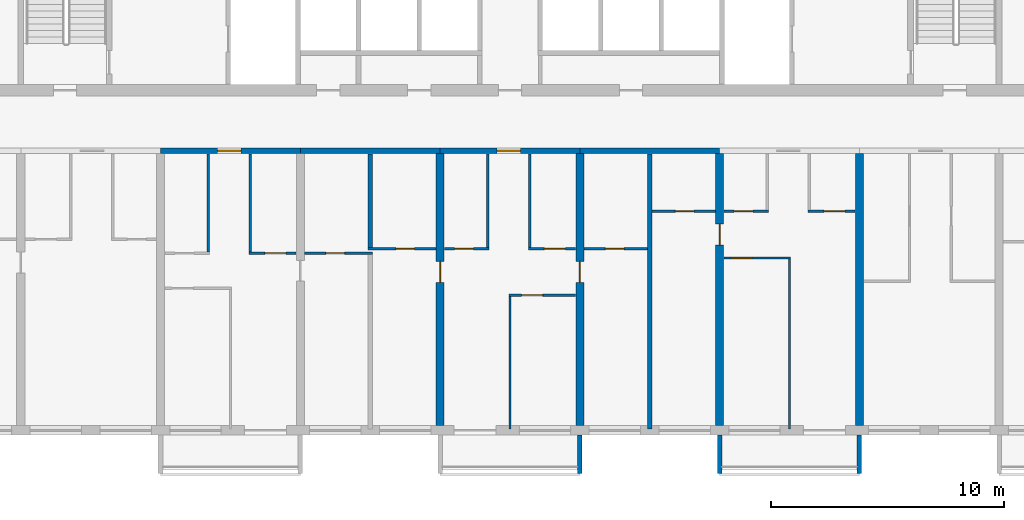
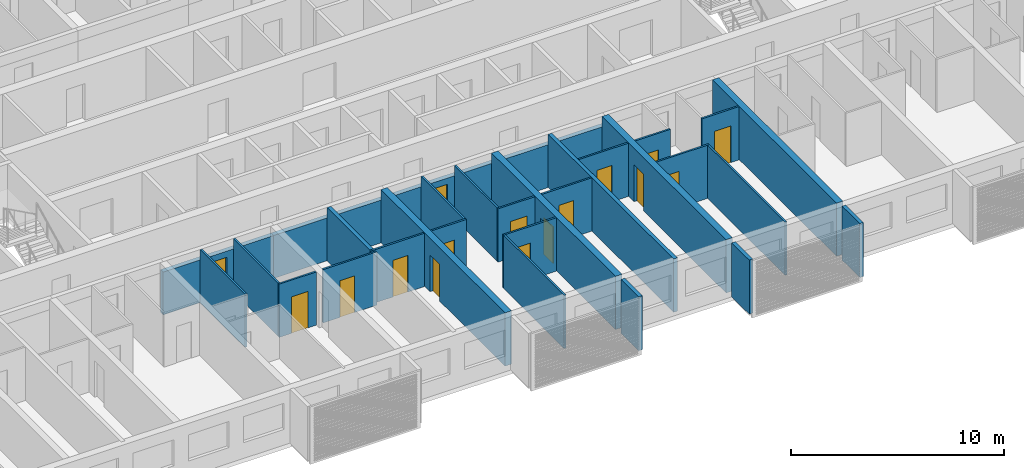
# One storey, part 5 of 30: 30 walls, 16 doors, 16 openings.
"""IFC4 building model written with IfcOpenShell, lengths in metres."""

from ifc_helpers import new_model, si_unit, direction, frame, frame_2d, origin, place, context, subcontext, project, spatial, polyline, rectangle, outline, extrude, source, transform, mapped, material, layer, layer_set, type_object, element, fill, save


model = new_model("IFC4")

# Units and contexts
model_context = context("Model", 3, precision=1e-05, world=origin(), true_north=direction((0.0, 1.0)))
body_context = subcontext(model_context, "Body", "Model", "MODEL_VIEW")
ifc_project = project(units=[si_unit("LENGTHUNIT", "METRE"), si_unit("AREAUNIT", "SQUARE_METRE"), si_unit("VOLUMEUNIT", "CUBIC_METRE"), si_unit("PLANEANGLEUNIT", "RADIAN"), si_unit("MASSUNIT", "GRAM", prefix="KILO")], contexts=[model_context])

# Site, building, storey
site_placement = place(None, origin())
site = spatial("IfcSite", under=ifc_project, at=site_placement, CompositionType="ELEMENT")
building_placement = place(site_placement, origin())
building = spatial("IfcBuilding", under=site, at=building_placement, Name="Poui Terraces", CompositionType="ELEMENT")
storey_placement = place(building_placement, frame((0.0, 0.0, 99.300048828125)))
storey = spatial("IfcBuildingStorey", under=building, at=storey_placement, Name="L27", CompositionType="ELEMENT", Elevation=99.300048828125)

# Wall, opening, door
ifc_material_1 = material(Name="Concrete 65 MPa", Category="concrete")
ifc_layer_1 = layer(ifc_material_1, 0.25)
ifc_layer_set_1 = layer_set([ifc_layer_1], Name="Concrete 65 MPa")
wall_type_1 = type_object("IfcWallType", Name="CORRIDOR WALL 250 65MPa", PredefinedType="SHEAR", material=ifc_layer_set_1)
wall_1_placement = place(storey_placement, frame((36.0, 12.0, 0.0), z_axis=(0.0, 0.0, 1.0), x_axis=(1.0, 0.0, 0.0)))
wall_1 = element("IfcWall", 1, at=wall_1_placement, inside=storey, type_object=wall_type_1, Name="CORRIDOR WALL LINE B BAY 6", PredefinedType="SHEAR", context=body_context, shape_type="SweptSolid", body=[
    extrude(rectangle(XDim=6.0, YDim=0.25, at=frame_2d((3.0, 0.0))), origin(), (0.0, 0.0, 1.0), 2.4599609375),
])
opening_1_placement = place(wall_1_placement, frame((2.449951171875, 0.0, 0.0)))
opening_1 = element("IfcOpeningElement", 2, at=opening_1_placement, cuts=wall_1, Name="Opening FD30S", PredefinedType="OPENING", context=body_context, shape_type="SweptSolid", body=[
    extrude(rectangle(XDim=1.0, YDim=2.10009765625, at=frame_2d((0.5, 1.050048828125))), frame((0.0, 0.135009765625, 0.0), z_axis=(0.0, -1.0, 0.0), x_axis=(1.0, 0.0, 0.0)), (0.0, 0.0, 1.0), 0.27001953125),
])
ifc_material_2 = material(Name="Steel fire door", Category="steel")
door_type_1 = type_object("IfcDoorType", Name="FLAT ENTRANCE DOOR 1000 X 2100", OperationType="NOTDEFINED", PredefinedType="DOOR", material=ifc_material_2)
door_1_placement = place(opening_1_placement, frame((1.0, 0.0, 0.0), z_axis=(0.0, 0.0, 1.0), x_axis=(-1.0, 0.0, 0.0)))
door_1 = element("IfcDoor", 3, at=door_1_placement, inside=storey, type_object=door_type_1, Name="FLAT ENTRANCE DOOR 101", OperationType="SINGLE_SWING_RIGHT", OverallHeight=2.10009765625, OverallWidth=1.0, PredefinedType="DOOR", context=body_context, shape_type="SweptSolid", body=[
    extrude(rectangle(XDim=1.0, YDim=2.10009765625, at=frame_2d((0.5, 1.050048828125))), frame((0.0, 0.02490234375, 0.0), z_axis=(0.0, -1.0, 0.0), x_axis=(1.0, 0.0, 0.0)), (0.0, 0.0, 1.0), 0.050048828125),
])
fill(opening_1, door_1)

# Wall
wall_2_placement = place(storey_placement, frame((42.0, 12.0, 0.0), z_axis=(0.0, 0.0, 1.0), x_axis=(1.0, 0.0, 0.0)))
element("IfcWall", 4, at=wall_2_placement, inside=storey, type_object=wall_type_1, Name="CORRIDOR WALL LINE B BAY 7", PredefinedType="SHEAR", context=body_context, shape_type="SweptSolid", body=[
    extrude(rectangle(XDim=6.0, YDim=0.25, at=frame_2d((3.0, 0.0))), origin(), (0.0, 0.0, 1.0), 2.4599609375),
])

# Wall, opening, door
wall_3_placement = place(storey_placement, frame((48.0, 12.0, 0.0), z_axis=(0.0, 0.0, 1.0), x_axis=(1.0, 0.0, 0.0)))
wall_3 = element("IfcWall", 5, at=wall_3_placement, inside=storey, type_object=wall_type_1, Name="CORRIDOR WALL LINE B BAY 8", PredefinedType="SHEAR", context=body_context, shape_type="SweptSolid", body=[
    extrude(rectangle(XDim=6.0, YDim=0.25, at=frame_2d((3.0, 0.0))), origin(), (0.0, 0.0, 1.0), 2.4599609375),
])
opening_2_placement = place(wall_3_placement, frame((2.449951171875, 0.0, 0.0)))
opening_2 = element("IfcOpeningElement", 6, at=opening_2_placement, cuts=wall_3, Name="Opening FD30S", PredefinedType="OPENING", context=body_context, shape_type="SweptSolid", body=[
    extrude(rectangle(XDim=1.0, YDim=2.10009765625, at=frame_2d((0.5, 1.050048828125))), frame((0.0, 0.135009765625, 0.0), z_axis=(0.0, -1.0, 0.0), x_axis=(1.0, 0.0, 0.0)), (0.0, 0.0, 1.0), 0.27001953125),
])
door_2_placement = place(opening_2_placement, frame((1.0, 0.0, 0.0), z_axis=(0.0, 0.0, 1.0), x_axis=(-1.0, 0.0, 0.0)))
door_2 = element("IfcDoor", 7, at=door_2_placement, inside=storey, type_object=door_type_1, Name="FLAT ENTRANCE DOOR 108", OperationType="SINGLE_SWING_RIGHT", OverallHeight=2.10009765625, OverallWidth=1.0, PredefinedType="DOOR", context=body_context, shape_type="SweptSolid", body=[
    extrude(rectangle(XDim=1.0, YDim=2.10009765625, at=frame_2d((0.5, 1.050048828125))), frame((0.0, 0.02490234375, 0.0), z_axis=(0.0, -1.0, 0.0), x_axis=(1.0, 0.0, 0.0)), (0.0, 0.0, 1.0), 0.050048828125),
])
fill(opening_2, door_2)

# Wall
wall_4_placement = place(storey_placement, frame((54.0, 12.0, 0.0), z_axis=(0.0, 0.0, 1.0), x_axis=(1.0, 0.0, 0.0)))
element("IfcWall", 8, at=wall_4_placement, inside=storey, type_object=wall_type_1, Name="CORRIDOR WALL LINE B BAY 9", PredefinedType="SHEAR", context=body_context, shape_type="SweptSolid", body=[
    extrude(rectangle(XDim=6.0, YDim=0.25, at=frame_2d((3.0, 0.0))), origin(), (0.0, 0.0, 1.0), 2.4599609375),
])

# Wall, opening, door
ifc_layer_2 = layer(ifc_material_1, 0.35009765625)
ifc_layer_set_2 = layer_set([ifc_layer_2], Name="Concrete 65 MPa")
wall_type_2 = type_object("IfcWallType", Name="CROSS WALL 350 65MPa", PredefinedType="SHEAR", material=ifc_layer_set_2)
wall_5_placement = place(storey_placement, frame((48.0, 0.199951171875, 0.0), z_axis=(0.0, 0.0, 1.0), x_axis=(0.0, 1.0, 0.0)))
wall_5 = element("IfcWall", 9, at=wall_5_placement, inside=storey, type_object=wall_type_2, Name="CROSS WALL LINE 9 SOUTH", PredefinedType="SHEAR", context=body_context, shape_type="SweptSolid", body=[
    extrude(rectangle(XDim=11.675048828125, YDim=0.35009765625, at=frame_2d((5.83740234375, 0.0))), origin(), (0.0, 0.0, 1.0), 3.06005859375),
])
opening_3_placement = place(wall_5_placement, frame((6.14990234375, 0.0, 0.0)))
opening_3 = element("IfcOpeningElement", 10, at=opening_3_placement, cuts=wall_5, Name="Opening D90", PredefinedType="OPENING", context=body_context, shape_type="SweptSolid", body=[
    extrude(rectangle(XDim=0.89990234375, YDim=2.10009765625, at=frame_2d((0.449951171875, 1.050048828125))), frame((0.0, 0.18505859375, 0.0), z_axis=(0.0, -1.0, 0.0), x_axis=(1.0, 0.0, 0.0)), (0.0, 0.0, 1.0), 0.3701171875),
])
ifc_material_3 = material(Name="Solid core timber door", Category="wood")
door_type_2 = type_object("IfcDoorType", Name="INTERNAL DOOR 900 X 2100", OperationType="NOTDEFINED", PredefinedType="DOOR", material=ifc_material_3)
door_3_placement = place(opening_3_placement, origin())
door_3 = element("IfcDoor", 11, at=door_3_placement, inside=storey, type_object=door_type_2, Name="INTERNAL DOOR 106", OperationType="SINGLE_SWING_RIGHT", OverallHeight=2.10009765625, OverallWidth=0.89990234375, PredefinedType="DOOR", context=body_context, shape_type="SweptSolid", body=[
    extrude(rectangle(XDim=0.89990234375, YDim=2.10009765625, at=frame_2d((0.449951171875, 1.050048828125))), frame((0.0, 0.02490234375, 0.0), z_axis=(0.0, -1.0, 0.0), x_axis=(1.0, 0.0, 0.0)), (0.0, 0.0, 1.0), 0.050048828125),
])
fill(opening_3, door_3)

wall_6_placement = place(storey_placement, frame((54.0, 0.199951171875, 0.0), z_axis=(0.0, 0.0, 1.0), x_axis=(0.0, 1.0, 0.0)))
wall_6 = element("IfcWall", 12, at=wall_6_placement, inside=storey, type_object=wall_type_2, Name="CROSS WALL LINE 10 SOUTH", PredefinedType="SHEAR", context=body_context, shape_type="SweptSolid", body=[
    extrude(rectangle(XDim=11.675048828125, YDim=0.35009765625, at=frame_2d((5.83740234375, 0.0))), origin(), (0.0, 0.0, 1.0), 3.06005859375),
])
opening_4_placement = place(wall_6_placement, frame((6.14990234375, 0.0, 0.0)))
opening_4 = element("IfcOpeningElement", 13, at=opening_4_placement, cuts=wall_6, Name="Opening D90", PredefinedType="OPENING", context=body_context, shape_type="SweptSolid", body=[
    extrude(rectangle(XDim=0.89990234375, YDim=2.10009765625, at=frame_2d((0.449951171875, 1.050048828125))), frame((0.0, 0.18505859375, 0.0), z_axis=(0.0, -1.0, 0.0), x_axis=(1.0, 0.0, 0.0)), (0.0, 0.0, 1.0), 0.3701171875),
])
door_4_placement = place(opening_4_placement, frame((0.89990234375, 0.0, 0.0), z_axis=(0.0, 0.0, 1.0), x_axis=(-1.0, 0.0, 0.0)))
door_4 = element("IfcDoor", 14, at=door_4_placement, inside=storey, type_object=door_type_2, Name="INTERNAL DOOR 111", OperationType="SINGLE_SWING_LEFT", OverallHeight=2.10009765625, OverallWidth=0.89990234375, PredefinedType="DOOR", context=body_context, shape_type="SweptSolid", body=[
    extrude(rectangle(XDim=0.89990234375, YDim=2.10009765625, at=frame_2d((0.449951171875, 1.050048828125))), frame((0.0, 0.02490234375, 0.0), z_axis=(0.0, -1.0, 0.0), x_axis=(1.0, 0.0, 0.0)), (0.0, 0.0, 1.0), 0.050048828125),
])
fill(opening_4, door_4)

wall_7_placement = place(storey_placement, frame((60.0, 0.199951171875, 0.0), z_axis=(0.0, 0.0, 1.0), x_axis=(0.0, 1.0, 0.0)))
wall_7 = element("IfcWall", 15, at=wall_7_placement, inside=storey, type_object=wall_type_2, Name="CROSS WALL LINE 11 SOUTH", PredefinedType="SHEAR", context=body_context, shape_type="SweptSolid", body=[
    extrude(rectangle(XDim=11.675048828125, YDim=0.35009765625, at=frame_2d((5.83740234375, 0.0))), origin(), (0.0, 0.0, 1.0), 3.06005859375),
])
opening_5_placement = place(wall_7_placement, frame((7.75, 0.0, 0.0)))
opening_5 = element("IfcOpeningElement", 16, at=opening_5_placement, cuts=wall_7, Name="Opening D90", PredefinedType="OPENING", context=body_context, shape_type="SweptSolid", body=[
    extrude(rectangle(XDim=0.89990234375, YDim=2.10009765625, at=frame_2d((0.449951171875, 1.050048828125))), frame((0.0, 0.18505859375, 0.0), z_axis=(0.0, -1.0, 0.0), x_axis=(1.0, 0.0, 0.0)), (0.0, 0.0, 1.0), 0.3701171875),
])
door_5_placement = place(opening_5_placement, origin())
door_5 = element("IfcDoor", 17, at=door_5_placement, inside=storey, type_object=door_type_2, Name="INTERNAL DOOR 113", OperationType="SINGLE_SWING_RIGHT", OverallHeight=2.10009765625, OverallWidth=0.89990234375, PredefinedType="DOOR", context=body_context, shape_type="SweptSolid", body=[
    extrude(rectangle(XDim=0.89990234375, YDim=2.10009765625, at=frame_2d((0.449951171875, 1.050048828125))), frame((0.0, 0.02490234375, 0.0), z_axis=(0.0, -1.0, 0.0), x_axis=(1.0, 0.0, 0.0)), (0.0, 0.0, 1.0), 0.050048828125),
])
fill(opening_5, door_5)

# Wall
wall_8_placement = place(storey_placement, frame((66.0, 0.199951171875, 0.0), z_axis=(0.0, 0.0, 1.0), x_axis=(0.0, 1.0, 0.0)))
element("IfcWall", 18, at=wall_8_placement, inside=storey, type_object=wall_type_2, Name="CROSS WALL LINE 12 SOUTH", PredefinedType="SHEAR", context=body_context, shape_type="SweptSolid", body=[
    extrude(rectangle(XDim=11.675048828125, YDim=0.35009765625, at=frame_2d((5.83740234375, 0.0))), origin(), (0.0, 0.0, 1.0), 3.06005859375),
])

# Wall, opening, door
ifc_material_4 = material(Name="Plasterboard partition")
ifc_layer_3 = layer(ifc_material_4, 0.10009765625)
ifc_layer_set_3 = layer_set([ifc_layer_3], Name="Plasterboard partition")
wall_type_3 = type_object("IfcWallType", Name="FLAT PARTITION 100", PredefinedType="PARTITIONING", material=ifc_layer_set_3)
wall_9_placement = place(storey_placement, frame((50.949951171875, 5.800048828125, 0.0), z_axis=(0.0, 0.0, 1.0), x_axis=(1.0, 0.0, 0.0)))
wall_9 = element("IfcWall", 19, at=wall_9_placement, inside=storey, type_object=wall_type_3, Name="FLAT PARTITION 100", PredefinedType="PARTITIONING", context=body_context, shape_type="SweptSolid", body=[
    extrude(rectangle(XDim=2.864990234375, YDim=0.10009765625, at=frame_2d((1.4326171875, 0.0))), origin(), (0.0, 0.0, 1.0), 3.06005859375),
])
opening_6_placement = place(wall_9_placement, frame((0.550048828125, 0.0, 0.0)))
opening_6 = element("IfcOpeningElement", 20, at=opening_6_placement, cuts=wall_9, Name="Opening D90", PredefinedType="OPENING", context=body_context, shape_type="SweptSolid", body=[
    extrude(rectangle(XDim=0.89990234375, YDim=2.10009765625, at=frame_2d((0.449951171875, 1.050048828125))), frame((0.0, 0.06005859375, 0.0), z_axis=(0.0, -1.0, 0.0), x_axis=(1.0, 0.0, 0.0)), (0.0, 0.0, 1.0), 0.1201171875),
])
door_6_placement = place(opening_6_placement, origin())
door_6 = element("IfcDoor", 21, at=door_6_placement, inside=storey, type_object=door_type_2, Name="INTERNAL DOOR 109", OperationType="SINGLE_SWING_RIGHT", OverallHeight=2.10009765625, OverallWidth=0.89990234375, PredefinedType="DOOR", context=body_context, shape_type="SweptSolid", body=[
    extrude(rectangle(XDim=0.89990234375, YDim=2.10009765625, at=frame_2d((0.449951171875, 1.050048828125))), frame((0.0, 0.02490234375, 0.0), z_axis=(0.0, -1.0, 0.0), x_axis=(1.0, 0.0, 0.0)), (0.0, 0.0, 1.0), 0.050048828125),
])
fill(opening_6, door_6)

wall_10_placement = place(storey_placement, frame((60.18505859375, 7.39990234375, 0.0), z_axis=(0.0, 0.0, 1.0), x_axis=(1.0, 0.0, 0.0)))
wall_10 = element("IfcWall", 22, at=wall_10_placement, inside=storey, type_object=wall_type_3, Name="FLAT PARTITION 100", PredefinedType="PARTITIONING", context=body_context, shape_type="SweptSolid", body=[
    extrude(rectangle(XDim=2.864990234375, YDim=0.10009765625, at=frame_2d((1.4326171875, 0.0))), origin(), (0.0, 0.0, 1.0), 3.06005859375),
])
opening_7_placement = place(wall_10_placement, frame((0.31494140625, 0.0, 0.0)))
opening_7 = element("IfcOpeningElement", 23, at=opening_7_placement, cuts=wall_10, Name="Opening D90", PredefinedType="OPENING", context=body_context, shape_type="SweptSolid", body=[
    extrude(rectangle(XDim=0.89990234375, YDim=2.10009765625, at=frame_2d((0.449951171875, 1.050048828125))), frame((0.0, 0.06005859375, 0.0), z_axis=(0.0, -1.0, 0.0), x_axis=(1.0, 0.0, 0.0)), (0.0, 0.0, 1.0), 0.1201171875),
])
door_7_placement = place(opening_7_placement, origin())
door_7 = element("IfcDoor", 24, at=door_7_placement, inside=storey, type_object=door_type_2, Name="INTERNAL DOOR 114", OperationType="SINGLE_SWING_RIGHT", OverallHeight=2.10009765625, OverallWidth=0.89990234375, PredefinedType="DOOR", context=body_context, shape_type="SweptSolid", body=[
    extrude(rectangle(XDim=0.89990234375, YDim=2.10009765625, at=frame_2d((0.449951171875, 1.050048828125))), frame((0.0, 0.02490234375, 0.0), z_axis=(0.0, -1.0, 0.0), x_axis=(1.0, 0.0, 0.0)), (0.0, 0.0, 1.0), 0.050048828125),
])
fill(opening_7, door_7)

wall_11_placement = place(storey_placement, frame((39.800048828125, 7.60009765625, 0.0), z_axis=(0.0, 0.0, 1.0), x_axis=(1.0, 0.0, 0.0)))
wall_11 = element("IfcWall", 25, at=wall_11_placement, inside=storey, type_object=wall_type_3, Name="FLAT PARTITION 100", PredefinedType="PARTITIONING", context=body_context, shape_type="SweptSolid", body=[
    extrude(rectangle(XDim=2.014892578125, YDim=0.10009765625, at=frame_2d((1.00732421875, 0.0))), origin(), (0.0, 0.0, 1.0), 3.06005859375),
])
opening_8_placement = place(wall_11_placement, frame((0.675048828125, 0.0, 0.0)))
opening_8 = element("IfcOpeningElement", 26, at=opening_8_placement, cuts=wall_11, Name="Opening D90", PredefinedType="OPENING", context=body_context, shape_type="SweptSolid", body=[
    extrude(rectangle(XDim=0.89990234375, YDim=2.10009765625, at=frame_2d((0.449951171875, 1.050048828125))), frame((0.0, 0.06005859375, 0.0), z_axis=(0.0, -1.0, 0.0), x_axis=(1.0, 0.0, 0.0)), (0.0, 0.0, 1.0), 0.1201171875),
])
door_8_placement = place(opening_8_placement, origin())
door_8 = element("IfcDoor", 27, at=door_8_placement, inside=storey, type_object=door_type_2, Name="INTERNAL DOOR 102", OperationType="SINGLE_SWING_RIGHT", OverallHeight=2.10009765625, OverallWidth=0.89990234375, PredefinedType="DOOR", context=body_context, shape_type="SweptSolid", body=[
    extrude(rectangle(XDim=0.89990234375, YDim=2.10009765625, at=frame_2d((0.449951171875, 1.050048828125))), frame((0.0, 0.02490234375, 0.0), z_axis=(0.0, -1.0, 0.0), x_axis=(1.0, 0.0, 0.0)), (0.0, 0.0, 1.0), 0.050048828125),
])
fill(opening_8, door_8)

wall_12_placement = place(storey_placement, frame((42.18505859375, 7.60009765625, 0.0), z_axis=(0.0, 0.0, 1.0), x_axis=(1.0, 0.0, 0.0)))
wall_12 = element("IfcWall", 28, at=wall_12_placement, inside=storey, type_object=wall_type_3, Name="FLAT PARTITION 100", PredefinedType="PARTITIONING", context=body_context, shape_type="SweptSolid", body=[
    extrude(rectangle(XDim=2.9150390625, YDim=0.10009765625, at=frame_2d((1.45751953125, 0.0))), origin(), (0.0, 0.0, 1.0), 3.06005859375),
])
opening_9_placement = place(wall_12_placement, frame((0.9150390625, 0.0, 0.0)))
opening_9 = element("IfcOpeningElement", 29, at=opening_9_placement, cuts=wall_12, Name="Opening D80", PredefinedType="OPENING", context=body_context, shape_type="SweptSolid", body=[
    extrude(rectangle(XDim=0.800048828125, YDim=2.10009765625, at=frame_2d((0.39990234375, 1.050048828125))), frame((0.0, 0.06005859375, 0.0), z_axis=(0.0, -1.0, 0.0), x_axis=(1.0, 0.0, 0.0)), (0.0, 0.0, 1.0), 0.1201171875),
])
door_type_3 = type_object("IfcDoorType", Name="BATHROOM, LAUNDRY AND STORE DOOR 800 X 2100", OperationType="NOTDEFINED", PredefinedType="DOOR", material=ifc_material_3)
door_9_placement = place(opening_9_placement, origin())
door_9 = element("IfcDoor", 30, at=door_9_placement, inside=storey, type_object=door_type_3, Name="BATHROOM, LAUNDRY AND STORE DOOR 098", OperationType="SINGLE_SWING_LEFT", OverallHeight=2.10009765625, OverallWidth=0.800048828125, PredefinedType="DOOR", context=body_context, shape_type="SweptSolid", body=[
    extrude(rectangle(XDim=0.800048828125, YDim=2.10009765625, at=frame_2d((0.39990234375, 1.050048828125))), frame((0.0, 0.02490234375, 0.0), z_axis=(0.0, -1.0, 0.0), x_axis=(1.0, 0.0, 0.0)), (0.0, 0.0, 1.0), 0.050048828125),
])
fill(opening_9, door_9)

wall_13_placement = place(storey_placement, frame((44.89990234375, 7.800048828125, 0.0), z_axis=(0.0, 0.0, 1.0), x_axis=(1.0, 0.0, 0.0)))
wall_13 = element("IfcWall", 31, at=wall_13_placement, inside=storey, type_object=wall_type_3, Name="FLAT PARTITION 100", PredefinedType="PARTITIONING", context=body_context, shape_type="SweptSolid", body=[
    extrude(rectangle(XDim=2.9150390625, YDim=0.10009765625, at=frame_2d((1.45751953125, 0.0))), origin(), (0.0, 0.0, 1.0), 3.06005859375),
])
opening_10_placement = place(wall_13_placement, frame((1.199951171875, 0.0, 0.0)))
opening_10 = element("IfcOpeningElement", 32, at=opening_10_placement, cuts=wall_13, Name="Opening D80", PredefinedType="OPENING", context=body_context, shape_type="SweptSolid", body=[
    extrude(rectangle(XDim=0.800048828125, YDim=2.10009765625, at=frame_2d((0.39990234375, 1.050048828125))), frame((0.0, 0.06005859375, 0.0), z_axis=(0.0, -1.0, 0.0), x_axis=(1.0, 0.0, 0.0)), (0.0, 0.0, 1.0), 0.1201171875),
])
door_10_placement = place(opening_10_placement, origin())
door_10 = element("IfcDoor", 33, at=door_10_placement, inside=storey, type_object=door_type_3, Name="BATHROOM, LAUNDRY AND STORE DOOR 104", OperationType="SINGLE_SWING_RIGHT", OverallHeight=2.10009765625, OverallWidth=0.800048828125, PredefinedType="DOOR", context=body_context, shape_type="SweptSolid", body=[
    extrude(rectangle(XDim=0.800048828125, YDim=2.10009765625, at=frame_2d((0.39990234375, 1.050048828125))), frame((0.0, 0.02490234375, 0.0), z_axis=(0.0, -1.0, 0.0), x_axis=(1.0, 0.0, 0.0)), (0.0, 0.0, 1.0), 0.050048828125),
])
fill(opening_10, door_10)

wall_14_placement = place(storey_placement, frame((48.18505859375, 7.800048828125, 0.0), z_axis=(0.0, 0.0, 1.0), x_axis=(1.0, 0.0, 0.0)))
wall_14 = element("IfcWall", 34, at=wall_14_placement, inside=storey, type_object=wall_type_3, Name="FLAT PARTITION 100", PredefinedType="PARTITIONING", context=body_context, shape_type="SweptSolid", body=[
    extrude(rectangle(XDim=1.9150390625, YDim=0.10009765625, at=frame_2d((0.95751953125, 0.0))), origin(), (0.0, 0.0, 1.0), 3.06005859375),
])
opening_11_placement = place(wall_14_placement, frame((0.43994140625, 0.0, 0.0)))
opening_11 = element("IfcOpeningElement", 35, at=opening_11_placement, cuts=wall_14, Name="Opening D80", PredefinedType="OPENING", context=body_context, shape_type="SweptSolid", body=[
    extrude(rectangle(XDim=0.800048828125, YDim=2.10009765625, at=frame_2d((0.39990234375, 1.050048828125))), frame((0.0, 0.06005859375, 0.0), z_axis=(0.0, -1.0, 0.0), x_axis=(1.0, 0.0, 0.0)), (0.0, 0.0, 1.0), 0.1201171875),
])
door_11_placement = place(opening_11_placement, origin())
door_11 = element("IfcDoor", 36, at=door_11_placement, inside=storey, type_object=door_type_3, Name="BATHROOM, LAUNDRY AND STORE DOOR 107", OperationType="SINGLE_SWING_RIGHT", OverallHeight=2.10009765625, OverallWidth=0.800048828125, PredefinedType="DOOR", context=body_context, shape_type="SweptSolid", body=[
    extrude(rectangle(XDim=0.800048828125, YDim=2.10009765625, at=frame_2d((0.39990234375, 1.050048828125))), frame((0.0, 0.02490234375, 0.0), z_axis=(0.0, -1.0, 0.0), x_axis=(1.0, 0.0, 0.0)), (0.0, 0.0, 1.0), 0.050048828125),
])
fill(opening_11, door_11)

wall_15_placement = place(storey_placement, frame((51.800048828125, 7.800048828125, 0.0), z_axis=(0.0, 0.0, 1.0), x_axis=(1.0, 0.0, 0.0)))
wall_15 = element("IfcWall", 37, at=wall_15_placement, inside=storey, type_object=wall_type_3, Name="FLAT PARTITION 100", PredefinedType="PARTITIONING", context=body_context, shape_type="SweptSolid", body=[
    extrude(rectangle(XDim=2.014892578125, YDim=0.10009765625, at=frame_2d((1.00732421875, 0.0))), origin(), (0.0, 0.0, 1.0), 3.06005859375),
])
opening_12_placement = place(wall_15_placement, frame((0.675048828125, 0.0, 0.0)))
opening_12 = element("IfcOpeningElement", 38, at=opening_12_placement, cuts=wall_15, Name="Opening D90", PredefinedType="OPENING", context=body_context, shape_type="SweptSolid", body=[
    extrude(rectangle(XDim=0.89990234375, YDim=2.10009765625, at=frame_2d((0.449951171875, 1.050048828125))), frame((0.0, 0.06005859375, 0.0), z_axis=(0.0, -1.0, 0.0), x_axis=(1.0, 0.0, 0.0)), (0.0, 0.0, 1.0), 0.1201171875),
])
door_12_placement = place(opening_12_placement, origin())
door_12 = element("IfcDoor", 39, at=door_12_placement, inside=storey, type_object=door_type_2, Name="INTERNAL DOOR 110", OperationType="SINGLE_SWING_LEFT", OverallHeight=2.10009765625, OverallWidth=0.89990234375, PredefinedType="DOOR", context=body_context, shape_type="SweptSolid", body=[
    extrude(rectangle(XDim=0.89990234375, YDim=2.10009765625, at=frame_2d((0.449951171875, 1.050048828125))), frame((0.0, 0.02490234375, 0.0), z_axis=(0.0, -1.0, 0.0), x_axis=(1.0, 0.0, 0.0)), (0.0, 0.0, 1.0), 0.050048828125),
])
fill(opening_12, door_12)

wall_16_placement = place(storey_placement, frame((54.18505859375, 7.800048828125, 0.0), z_axis=(0.0, 0.0, 1.0), x_axis=(1.0, 0.0, 0.0)))
wall_16 = element("IfcWall", 40, at=wall_16_placement, inside=storey, type_object=wall_type_3, Name="FLAT PARTITION 100", PredefinedType="PARTITIONING", context=body_context, shape_type="SweptSolid", body=[
    extrude(rectangle(XDim=2.71484375, YDim=0.10009765625, at=frame_2d((1.357421875, 0.0))), origin(), (0.0, 0.0, 1.0), 3.06005859375),
])
opening_13_placement = place(wall_16_placement, frame((0.9150390625, 0.0, 0.0)))
opening_13 = element("IfcOpeningElement", 41, at=opening_13_placement, cuts=wall_16, Name="Opening D80", PredefinedType="OPENING", context=body_context, shape_type="SweptSolid", body=[
    extrude(rectangle(XDim=0.800048828125, YDim=2.10009765625, at=frame_2d((0.39990234375, 1.050048828125))), frame((0.0, 0.06005859375, 0.0), z_axis=(0.0, -1.0, 0.0), x_axis=(1.0, 0.0, 0.0)), (0.0, 0.0, 1.0), 0.1201171875),
])
door_13_placement = place(opening_13_placement, origin())
door_13 = element("IfcDoor", 42, at=door_13_placement, inside=storey, type_object=door_type_3, Name="BATHROOM, LAUNDRY AND STORE DOOR 105", OperationType="SINGLE_SWING_RIGHT", OverallHeight=2.10009765625, OverallWidth=0.800048828125, PredefinedType="DOOR", context=body_context, shape_type="SweptSolid", body=[
    extrude(rectangle(XDim=0.800048828125, YDim=2.10009765625, at=frame_2d((0.39990234375, 1.050048828125))), frame((0.0, 0.02490234375, 0.0), z_axis=(0.0, -1.0, 0.0), x_axis=(1.0, 0.0, 0.0)), (0.0, 0.0, 1.0), 0.050048828125),
])
fill(opening_13, door_13)

wall_17_placement = place(storey_placement, frame((57.10009765625, 9.39990234375, 0.0), z_axis=(0.0, 0.0, 1.0), x_axis=(1.0, 0.0, 0.0)))
wall_17 = element("IfcWall", 43, at=wall_17_placement, inside=storey, type_object=wall_type_3, Name="FLAT PARTITION 100", PredefinedType="PARTITIONING", context=body_context, shape_type="SweptSolid", body=[
    extrude(rectangle(XDim=2.71484375, YDim=0.10009765625, at=frame_2d((1.357421875, 0.0))), origin(), (0.0, 0.0, 1.0), 3.06005859375),
])
opening_14_placement = place(wall_17_placement, frame((1.0, 0.0, 0.0)))
opening_14 = element("IfcOpeningElement", 44, at=opening_14_placement, cuts=wall_17, Name="Opening D80", PredefinedType="OPENING", context=body_context, shape_type="SweptSolid", body=[
    extrude(rectangle(XDim=0.800048828125, YDim=2.10009765625, at=frame_2d((0.39990234375, 1.050048828125))), frame((0.0, 0.06005859375, 0.0), z_axis=(0.0, -1.0, 0.0), x_axis=(1.0, 0.0, 0.0)), (0.0, 0.0, 1.0), 0.1201171875),
])
door_14_placement = place(opening_14_placement, origin())
door_14 = element("IfcDoor", 45, at=door_14_placement, inside=storey, type_object=door_type_3, Name="BATHROOM, LAUNDRY AND STORE DOOR 112", OperationType="SINGLE_SWING_LEFT", OverallHeight=2.10009765625, OverallWidth=0.800048828125, PredefinedType="DOOR", context=body_context, shape_type="SweptSolid", body=[
    extrude(rectangle(XDim=0.800048828125, YDim=2.10009765625, at=frame_2d((0.39990234375, 1.050048828125))), frame((0.0, 0.02490234375, 0.0), z_axis=(0.0, -1.0, 0.0), x_axis=(1.0, 0.0, 0.0)), (0.0, 0.0, 1.0), 0.050048828125),
])
fill(opening_14, door_14)

wall_18_placement = place(storey_placement, frame((60.18505859375, 9.39990234375, 0.0), z_axis=(0.0, 0.0, 1.0), x_axis=(1.0, 0.0, 0.0)))
wall_18 = element("IfcWall", 46, at=wall_18_placement, inside=storey, type_object=wall_type_3, Name="FLAT PARTITION 100", PredefinedType="PARTITIONING", context=body_context, shape_type="SweptSolid", body=[
    extrude(rectangle(XDim=1.9150390625, YDim=0.10009765625, at=frame_2d((0.95751953125, 0.0))), origin(), (0.0, 0.0, 1.0), 3.06005859375),
])
opening_15_placement = place(wall_18_placement, frame((0.43994140625, 0.0, 0.0)))
opening_15 = element("IfcOpeningElement", 47, at=opening_15_placement, cuts=wall_18, Name="Opening D80", PredefinedType="OPENING", context=body_context, shape_type="SweptSolid", body=[
    extrude(rectangle(XDim=0.800048828125, YDim=2.10009765625, at=frame_2d((0.39990234375, 1.050048828125))), frame((0.0, 0.06005859375, 0.0), z_axis=(0.0, -1.0, 0.0), x_axis=(1.0, 0.0, 0.0)), (0.0, 0.0, 1.0), 0.1201171875),
])
door_15_placement = place(opening_15_placement, origin())
door_15 = element("IfcDoor", 48, at=door_15_placement, inside=storey, type_object=door_type_3, Name="BATHROOM, LAUNDRY AND STORE DOOR 115", OperationType="SINGLE_SWING_LEFT", OverallHeight=2.10009765625, OverallWidth=0.800048828125, PredefinedType="DOOR", context=body_context, shape_type="SweptSolid", body=[
    extrude(rectangle(XDim=0.800048828125, YDim=2.10009765625, at=frame_2d((0.39990234375, 1.050048828125))), frame((0.0, 0.02490234375, 0.0), z_axis=(0.0, -1.0, 0.0), x_axis=(1.0, 0.0, 0.0)), (0.0, 0.0, 1.0), 0.050048828125),
])
fill(opening_15, door_15)

wall_19_placement = place(storey_placement, frame((63.800048828125, 9.39990234375, 0.0), z_axis=(0.0, 0.0, 1.0), x_axis=(1.0, 0.0, 0.0)))
wall_19 = element("IfcWall", 49, at=wall_19_placement, inside=storey, type_object=wall_type_3, Name="FLAT PARTITION 100", PredefinedType="PARTITIONING", context=body_context, shape_type="SweptSolid", body=[
    extrude(rectangle(XDim=2.014892578125, YDim=0.10009765625, at=frame_2d((1.00732421875, 0.0))), origin(), (0.0, 0.0, 1.0), 3.06005859375),
])
opening_16_placement = place(wall_19_placement, frame((0.675048828125, 0.0, 0.0)))
opening_16 = element("IfcOpeningElement", 50, at=opening_16_placement, cuts=wall_19, Name="Opening D90", PredefinedType="OPENING", context=body_context, shape_type="SweptSolid", body=[
    extrude(rectangle(XDim=0.89990234375, YDim=2.10009765625, at=frame_2d((0.449951171875, 1.050048828125))), frame((0.0, 0.06005859375, 0.0), z_axis=(0.0, -1.0, 0.0), x_axis=(1.0, 0.0, 0.0)), (0.0, 0.0, 1.0), 0.1201171875),
])
door_16_placement = place(opening_16_placement, origin())
door_16 = element("IfcDoor", 51, at=door_16_placement, inside=storey, type_object=door_type_2, Name="INTERNAL DOOR 117", OperationType="SINGLE_SWING_RIGHT", OverallHeight=2.10009765625, OverallWidth=0.89990234375, PredefinedType="DOOR", context=body_context, shape_type="SweptSolid", body=[
    extrude(rectangle(XDim=0.89990234375, YDim=2.10009765625, at=frame_2d((0.449951171875, 1.050048828125))), frame((0.0, 0.02490234375, 0.0), z_axis=(0.0, -1.0, 0.0), x_axis=(1.0, 0.0, 0.0)), (0.0, 0.0, 1.0), 0.050048828125),
])
fill(opening_16, door_16)

# Walls
for number, where, z_axis, x_axis, name in (
    (52, (38.050048828125, 7.64990234375, 0.0), (0.0, 0.0, 1.0), (0.0, 1.0, 0.0), "FLAT PARTITION 100"),
    (53, (39.85009765625, 7.64990234375, 0.0), (0.0, 0.0, 1.0), (0.0, 1.0, 0.0), "FLAT PARTITION 100"),
):
    element("IfcWall", number, at=place(storey_placement, frame(where, z_axis=z_axis, x_axis=x_axis)), inside=storey, type_object=wall_type_3, Name=name, PredefinedType="PARTITIONING", context=body_context, shape_type="SweptSolid", body=[
        extrude(rectangle(XDim=4.215087890625, YDim=0.10009765625, at=frame_2d((2.107421875, 0.0))), origin(), (0.0, 0.0, 1.0), 3.06005859375),
    ])
wall_20_placement = place(storey_placement, frame((50.050048828125, 7.85009765625, 0.0), z_axis=(0.0, 0.0, 1.0), x_axis=(0.0, 1.0, 0.0)))
element("IfcWall", 54, at=wall_20_placement, inside=storey, type_object=wall_type_3, Name="FLAT PARTITION 100", PredefinedType="PARTITIONING", context=body_context, shape_type="SweptSolid", body=[
    extrude(rectangle(XDim=4.014892578125, YDim=0.10009765625, at=frame_2d((2.00732421875, 0.0))), origin(), (0.0, 0.0, 1.0), 3.06005859375),
])
wall_21_placement = place(storey_placement, frame((51.0, 0.06005859375, 0.0), z_axis=(0.0, 0.0, 1.0), x_axis=(0.0, 1.0, 0.0)))
element("IfcWall", 55, at=wall_21_placement, inside=storey, type_object=wall_type_3, Name="FLAT PARTITION 100", PredefinedType="PARTITIONING", context=body_context, shape_type="SweptSolid", body=[
    extrude(rectangle(XDim=5.68994140625, YDim=0.10009765625, at=frame_2d((2.844970703125, 0.0))), origin(), (0.0, 0.0, 1.0), 3.06005859375),
])
wall_22_placement = place(storey_placement, frame((51.85009765625, 7.85009765625, 0.0), z_axis=(0.0, 0.0, 1.0), x_axis=(0.0, 1.0, 0.0)))
element("IfcWall", 56, at=wall_22_placement, inside=storey, type_object=wall_type_3, Name="FLAT PARTITION 100", PredefinedType="PARTITIONING", context=body_context, shape_type="SweptSolid", body=[
    extrude(rectangle(XDim=4.014892578125, YDim=0.10009765625, at=frame_2d((2.00732421875, 0.0))), origin(), (0.0, 0.0, 1.0), 3.06005859375),
])
wall_23_placement = place(storey_placement, frame((63.0, 0.06005859375, 0.0), z_axis=(0.0, 0.0, 1.0), x_axis=(0.0, 1.0, 0.0)))
element("IfcWall", 57, at=wall_23_placement, inside=storey, type_object=wall_type_3, Name="FLAT PARTITION 100", PredefinedType="PARTITIONING", context=body_context, shape_type="SweptSolid", body=[
    extrude(rectangle(XDim=7.2900390625, YDim=0.10009765625, at=frame_2d((3.64501953125, 0.0))), origin(), (0.0, 0.0, 1.0), 3.06005859375),
])
ifc_material_5 = material(Name="Fire-rated masonry wall", Category="masonry")
ifc_layer_4 = layer(ifc_material_5, 0.199951171875)
ifc_layer_set_4 = layer_set([ifc_layer_4], Name="Fire-rated masonry wall")
wall_type_4 = type_object("IfcWallType", Name="FLAT PARTY WALL 200", PredefinedType="PARTITIONING", material=ifc_layer_set_4)
wall_24_placement = place(storey_placement, frame((45.0, 7.85009765625, 0.0), z_axis=(0.0, 0.0, 1.0), x_axis=(0.0, 1.0, 0.0)))
element("IfcWall", 58, at=wall_24_placement, inside=storey, type_object=wall_type_4, Name="FLAT PARTY WALL 200", PredefinedType="PARTITIONING", context=body_context, shape_type="SweptSolid", body=[
    extrude(rectangle(XDim=4.014892578125, YDim=0.199951171875, at=frame_2d((2.00732421875, 0.0))), origin(), (0.0, 0.0, 1.0), 3.06005859375),
])
wall_25_placement = place(storey_placement, frame((57.0, 0.06005859375, 0.0), z_axis=(0.0, 0.0, 1.0), x_axis=(0.0, 1.0, 0.0)))
element("IfcWall", 59, at=wall_25_placement, inside=storey, type_object=wall_type_4, Name="FLAT PARTY WALL 200", PredefinedType="PARTITIONING", context=body_context, shape_type="SweptSolid", body=[
    extrude(rectangle(XDim=11.804931640625, YDim=0.199951171875, at=frame_2d((5.90234375, 0.0))), origin(), (0.0, 0.0, 1.0), 3.06005859375),
])
ifc_material_6 = material(Name="Precast concrete 40 MPa", Category="concrete")
ifc_layer_5 = layer(ifc_material_6, 0.199951171875)
ifc_layer_set_5 = layer_set([ifc_layer_5], Name="Precast concrete 40 MPa")
wall_type_5 = type_object("IfcWallType", Name="REAR FIN 200", PredefinedType="STANDARD", material=ifc_layer_set_5)
shared_shape = source(origin(), body_context, "Body", "SweptSolid", [
    extrude(outline(polyline([(0.0, 0.0), (0.2001953125, 0.0), (0.2001953125, 1.650146484375), (0.0, 1.650146484375), (0.0, 0.0)])), origin(), (0.0, 0.0, 1.0), 3.099853515625),
])
for number, where, name in (
    (60, (53.89990234375, -1.85009765625, 0.0), "REAR FIN"),
    (61, (59.89990234375, -1.85009765625, 0.0), "REAR FIN"),
    (62, (65.89990234375, -1.85009765625, 0.0), "REAR FIN"),
):
    element("IfcWall", number, at=place(storey_placement, frame(where)), inside=storey, type_object=wall_type_5, Name=name, PredefinedType="STANDARD", context=body_context, shape_type="MappedRepresentation", body=[
        mapped(shared_shape, transform((0.0, 0.0, 0.0))),
    ])

save(model, "model.ifc")
